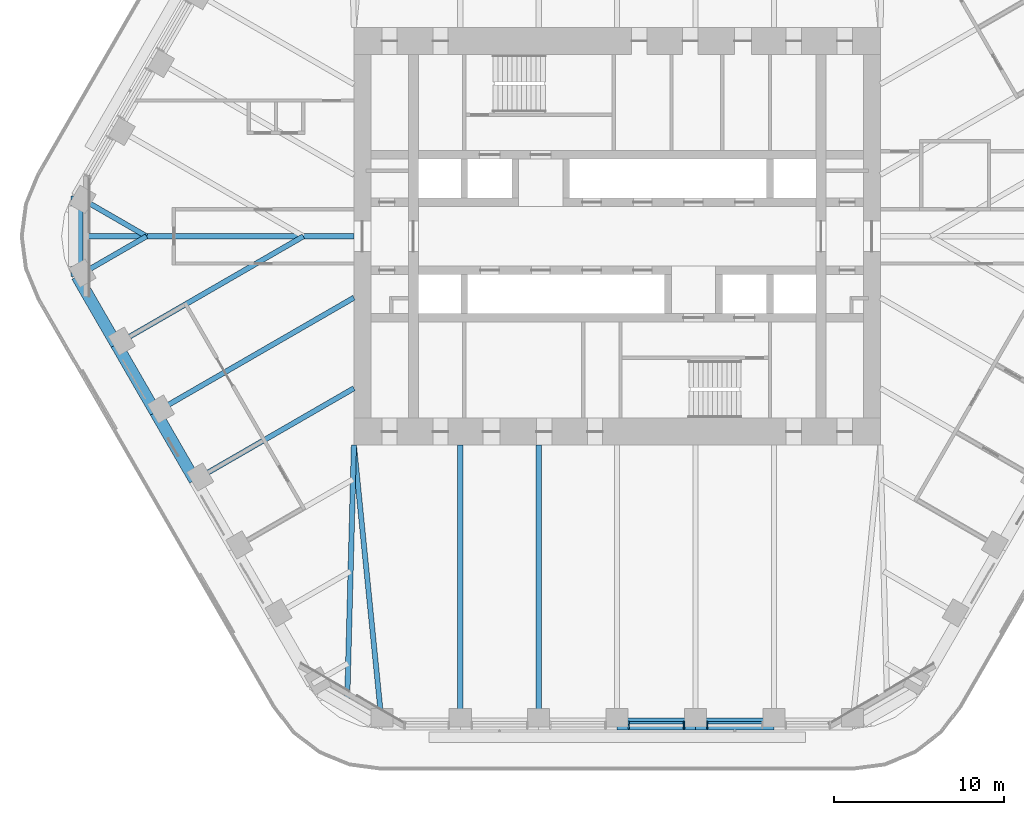
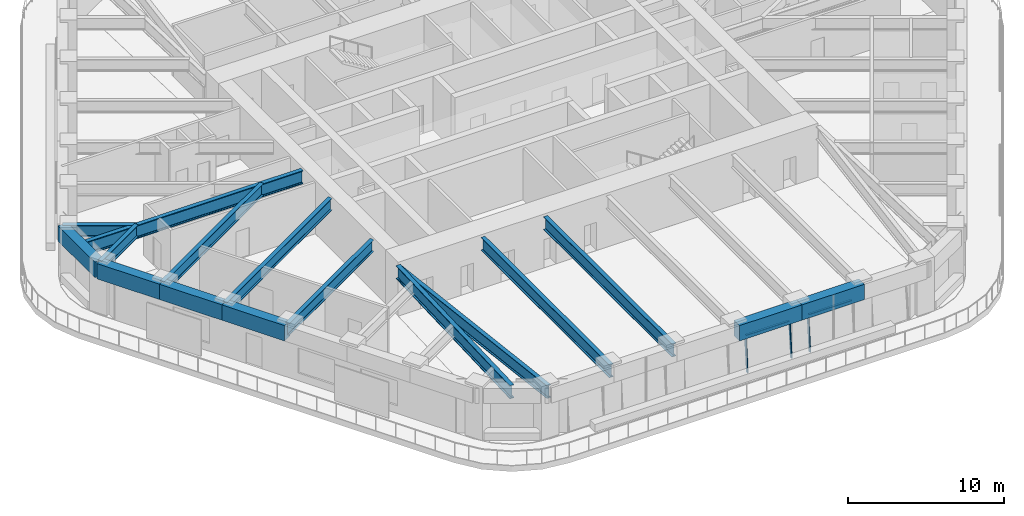
# One storey, part 3 of 20: 16 beams, 5 members, 2 elements without a shape of their own.
"""IFC4 building model written with IfcOpenShell, lengths in metres."""

from ifc_helpers import new_model, si_unit, direction, frame, origin, origin_2d, place, context, subcontext, project, spatial, rectangle, i_section, extrude, material, material_profile, profile_set, type_object, element, aggregate, save


model = new_model("IFC4")

# Units and contexts
model_context = context("Model", 3, precision=1e-05, world=origin(), true_north=direction((0.0, 1.0)))
body_context = subcontext(model_context, "Body", "Model", "MODEL_VIEW")
ifc_project = project(units=[si_unit("LENGTHUNIT", "METRE"), si_unit("AREAUNIT", "SQUARE_METRE"), si_unit("VOLUMEUNIT", "CUBIC_METRE"), si_unit("PLANEANGLEUNIT", "RADIAN"), si_unit("MASSUNIT", "GRAM", prefix="KILO")], contexts=[model_context])

# Site, building, storey
site_placement = place(None, origin())
site = spatial("IfcSite", under=ifc_project, at=site_placement, CompositionType="ELEMENT")
building_placement = place(site_placement, origin())
building = spatial("IfcBuilding", under=site, at=building_placement, Name="Tarfa Lantern Tower", CompositionType="ELEMENT")
storey_placement = place(building_placement, frame((0.0, 0.0, 249.10009765625)))
storey = spatial("IfcBuildingStorey", under=building, at=storey_placement, Name="L56", CompositionType="ELEMENT", Elevation=249.10009765625)

# Curtain wall, members
ifc_material_1 = material(Name="Aluminium framed curtain wall", Category="aluminium")
curtain_wall_type = type_object("IfcCurtainWallType", Name="CW3 CANTED GLAZING HIGH ZONE 2800", PredefinedType="USERDEFINED", material=ifc_material_1)
curtain_wall_1_placement = place(storey_placement, origin())
curtain_wall_1 = element("IfcCurtainWall", 1, at=curtain_wall_1_placement, inside=storey, type_object=curtain_wall_type, Name="CW3 S L56", ObjectType="CURTAIN WALL", PredefinedType="USERDEFINED")
ifc_material_2 = material(Name="Aluminium mullion", Category="aluminium")
ifc_material_profile_1 = material_profile(ifc_material_2, rectangle(XDim=0.06494140625, YDim=0.199951171875, at=origin_2d()), Name="AL MULLION 65x200")
ifc_profile_set_1 = profile_set([ifc_material_profile_1], Name="Aluminium mullion")
member_type_1 = type_object("IfcMemberType", Name="CWM1 MULLION 65x200", PredefinedType="MULLION", material=ifc_profile_set_1)
member_1_placement = place(storey_placement, frame((0.6826171875, -28.89990234375, 0.0), z_axis=(0.0, 0.088938092736, 0.996037155763), x_axis=(-1.0, 0.0, 0.0)))
member_1 = element("IfcMember", 2, at=member_1_placement, type_object=member_type_1, Name="CW3 mullion 1", PredefinedType="MULLION", context=body_context, shape_type="SweptSolid", body=[
    extrude(rectangle(XDim=0.06494140625, YDim=0.199951171875, at=origin_2d()), origin(), (0.0, 0.0, 1.0), 2.81103515625),
])
member_2_placement = place(storey_placement, frame((3.936279296875, -28.89990234375, 0.0), z_axis=(0.0, 0.088938092736, 0.996037155763), x_axis=(-1.0, 0.0, 0.0)))
member_2 = element("IfcMember", 3, at=member_2_placement, type_object=member_type_1, Name="CW3 mullion 2", PredefinedType="MULLION", context=body_context, shape_type="SweptSolid", body=[
    extrude(rectangle(XDim=0.06494140625, YDim=0.199951171875, at=origin_2d()), origin(), (0.0, 0.0, 1.0), 2.81103515625),
])

# Curtain wall, member
curtain_wall_2_placement = place(storey_placement, origin())
curtain_wall_2 = element("IfcCurtainWall", 4, at=curtain_wall_2_placement, inside=storey, type_object=curtain_wall_type, Name="CW3 S L56", ObjectType="CURTAIN WALL", PredefinedType="USERDEFINED")
member_3_placement = place(storey_placement, frame((5.30126953125, -28.89990234375, 0.0), z_axis=(0.0, 0.088938092736, 0.996037155763), x_axis=(-1.0, 0.0, 0.0)))
member_3 = element("IfcMember", 5, at=member_3_placement, type_object=member_type_1, Name="CW3 mullion 1", PredefinedType="MULLION", context=body_context, shape_type="SweptSolid", body=[
    extrude(rectangle(XDim=0.06494140625, YDim=0.199951171875, at=origin_2d()), origin(), (0.0, 0.0, 1.0), 2.81103515625),
])

# Member
ifc_material_3 = material(Name="Aluminium transom", Category="aluminium")
ifc_material_profile_2 = material_profile(ifc_material_3, rectangle(XDim=0.14990234375, YDim=0.06494140625, at=origin_2d()), Name="AL TRANSOM 150x65")
ifc_profile_set_2 = profile_set([ifc_material_profile_2], Name="Aluminium transom")
member_type_2 = type_object("IfcMemberType", Name="CWT1 TRANSOM 150x65", PredefinedType="USERDEFINED", material=ifc_profile_set_2)
member_4_placement = place(storey_placement, frame((0.715087890625, -28.65283203125, 2.767333984375), z_axis=(1.0, 0.0, 0.0), x_axis=(0.0, 1.0, 0.0)))
member_4 = element("IfcMember", 6, at=member_4_placement, type_object=member_type_2, Name="CW3 transom 1.2", ObjectType="TRANSOM", PredefinedType="USERDEFINED", context=body_context, shape_type="SweptSolid", body=[
    extrude(rectangle(XDim=0.14990234375, YDim=0.06494140625, at=origin_2d()), origin(), (0.0, 0.0, 1.0), 3.188720703125),
])

aggregate(curtain_wall_1, [member_1, member_2, member_4])

member_5_placement = place(storey_placement, frame((5.333740234375, -28.65283203125, 2.767333984375), z_axis=(1.0, 0.0, 0.0), x_axis=(0.0, 1.0, 0.0)))
member_5 = element("IfcMember", 7, at=member_5_placement, type_object=member_type_2, Name="CW3 transom 1.2", ObjectType="TRANSOM", PredefinedType="USERDEFINED", context=body_context, shape_type="SweptSolid", body=[
    extrude(rectangle(XDim=0.14990234375, YDim=0.06494140625, at=origin_2d()), origin(), (0.0, 0.0, 1.0), 3.18896484375),
])

aggregate(curtain_wall_2, [member_3, member_5])

# Beams
ifc_material_4 = material(Name="Concrete C80/95", Category="concrete")
ifc_material_profile_3 = material_profile(ifc_material_4, rectangle(XDim=0.699951171875, YDim=1.199951171875, at=origin_2d()), Name="RC 700x1200")
ifc_profile_set_3 = profile_set([ifc_material_profile_3], Name="Concrete C80/95")
beam_type_1 = type_object("IfcBeamType", Name="EB3 RC 700x1200", PredefinedType="SPANDREL", material=ifc_profile_set_3)
beam_1_placement = place(storey_placement, frame((-31.800537109375, 2.360107421875, 3.39990234375), z_axis=(0.0, -1.0, 0.0), x_axis=(1.0, 0.0, 0.0)))
element("IfcBeam", 8, at=beam_1_placement, inside=storey, type_object=beam_type_1, Name="Edge beam NW6", PredefinedType="SPANDREL", context=body_context, shape_type="SweptSolid", body=[
    extrude(rectangle(XDim=0.699951171875, YDim=1.199951171875, at=origin_2d()), origin(), (0.0, 0.0, 1.0), 4.72021484375),
])
beam_2_placement = place(storey_placement, frame((-31.800537109375, -2.360107421875, 3.39990234375), z_axis=(0.500027479704, -0.866009537788, 0.0), x_axis=(0.866009537788, 0.500027479704, 0.0)))
element("IfcBeam", 9, at=beam_2_placement, inside=storey, type_object=beam_type_1, Name="Edge beam SW0", PredefinedType="SPANDREL", context=body_context, shape_type="SweptSolid", body=[
    extrude(rectangle(XDim=0.699951171875, YDim=1.199951171875, at=origin_2d()), origin(), (0.0, 0.0, 1.0), 4.618896484375),
])
for number, where, z_axis, x_axis, name in (
    (10, (-29.490966796875, -6.360107421875, 3.39990234375), (0.499987836815, -0.866032426089, 0.0), (0.866032426089, 0.499987836815, 0.0), "Edge beam SW1"),
    (11, (-27.181640625, -10.360107421875, 3.39990234375), (0.499987836815, -0.866032426089, 0.0), (0.866032426089, 0.499987836815, 0.0), "Edge beam SW2"),
):
    element("IfcBeam", number, at=place(storey_placement, frame(where, z_axis=z_axis, x_axis=x_axis)), inside=storey, type_object=beam_type_1, Name=name, PredefinedType="SPANDREL", context=body_context, shape_type="SweptSolid", body=[
        extrude(rectangle(XDim=0.699951171875, YDim=1.199951171875, at=origin_2d()), origin(), (0.0, 0.0, 1.0), 4.61865234375),
    ])
beam_3_placement = place(storey_placement, frame((0.0, -28.719970703125, 3.39990234375), z_axis=(1.0, 0.0, 0.0), x_axis=(0.0, 1.0, 0.0)))
element("IfcBeam", 12, at=beam_3_placement, inside=storey, type_object=beam_type_1, Name="Edge beam S3", PredefinedType="SPANDREL", context=body_context, shape_type="SweptSolid", body=[
    extrude(rectangle(XDim=0.699951171875, YDim=1.199951171875, at=origin_2d()), origin(), (0.0, 0.0, 1.0), 4.618896484375),
])
beam_4_placement = place(storey_placement, frame((4.618896484375, -28.719970703125, 3.39990234375), z_axis=(1.0, 0.0, 0.0), x_axis=(0.0, 1.0, 0.0)))
element("IfcBeam", 13, at=beam_4_placement, inside=storey, type_object=beam_type_1, Name="Edge beam S4", PredefinedType="SPANDREL", context=body_context, shape_type="SweptSolid", body=[
    extrude(rectangle(XDim=0.699951171875, YDim=1.199951171875, at=origin_2d()), origin(), (0.0, 0.0, 1.0), 4.61865234375),
])
ifc_material_5 = material(Name="Steel S460M", Category="steel")
ifc_material_profile_4 = material_profile(ifc_material_5, i_section(OverallWidth=0.302001953125, OverallDepth=1.008056640625, WebThickness=0.02099609375, FlangeThickness=0.0400390625, FilletRadius=0.030029296875, at=origin_2d()), Name="UB1016x305x349")
ifc_profile_set_4 = profile_set([ifc_material_profile_4], Name="Steel S460M")
beam_type_2 = type_object("IfcBeamType", Name="UB1016x305x349", PredefinedType="BEAM", material=ifc_profile_set_4)
beam_5_placement = place(storey_placement, frame((-13.8564453125, -28.719970703125, 3.495849609375), z_axis=(-0.099597466746, 0.995027810977, 0.0), x_axis=(-0.995027810977, -0.099597466746, 0.0)))
element("IfcBeam", 14, at=beam_5_placement, inside=storey, type_object=beam_type_2, Name="Floor beam S0", PredefinedType="BEAM", context=body_context, shape_type="SweptSolid", body=[
    extrude(i_section(OverallWidth=0.302001953125, OverallDepth=1.008056640625, WebThickness=0.02099609375, FlangeThickness=0.0400390625, FilletRadius=0.030029296875, at=origin_2d()), origin(), (0.0, 0.0, 1.0), 16.501953125),
])
for number, where, z_axis, x_axis, name in (
    (15, (-9.237548828125, -28.719970703125, 3.495849609375), (0.0, 1.0, 0.0), (-1.0, 0.0, 0.0), "Floor beam S1"),
    (16, (-4.618896484375, -28.719970703125, 3.495849609375), (0.0, 1.0, 0.0), (-1.0, 0.0, 0.0), "Floor beam S2"),
):
    element("IfcBeam", number, at=place(storey_placement, frame(where, z_axis=z_axis, x_axis=x_axis)), inside=storey, type_object=beam_type_2, Name=name, PredefinedType="BEAM", context=body_context, shape_type="SweptSolid", body=[
        extrude(i_section(OverallWidth=0.302001953125, OverallDepth=1.008056640625, WebThickness=0.02099609375, FlangeThickness=0.0400390625, FilletRadius=0.030029296875, at=origin_2d()), origin(), (0.0, 0.0, 1.0), 16.419921875),
    ])
ifc_material_profile_5 = material_profile(ifc_material_5, i_section(OverallWidth=0.30859375, OverallDepth=1.036376953125, WebThickness=0.030029296875, FlangeThickness=0.05419921875, FilletRadius=0.030029296875, at=origin_2d()), Name="UB1016x305x487")
ifc_profile_set_5 = profile_set([ifc_material_profile_5], Name="Steel S460M")
beam_type_3 = type_object("IfcBeamType", Name="UB1016x305x487", PredefinedType="BEAM", material=ifc_profile_set_5)
beam_6_placement = place(storey_placement, frame((-15.5, 0.0, 3.481689453125), z_axis=(-1.0, 0.0, 0.0), x_axis=(0.0, -1.0, 0.0)))
element("IfcBeam", 17, at=beam_6_placement, inside=storey, type_object=beam_type_3, Name="Hip girder W", PredefinedType="BEAM", context=body_context, shape_type="SweptSolid", body=[
    extrude(i_section(OverallWidth=0.30859375, OverallDepth=1.036376953125, WebThickness=0.030029296875, FlangeThickness=0.05419921875, FilletRadius=0.030029296875, at=origin_2d()), origin(), (0.0, 0.0, 1.0), 16.300537109375),
])
beam_7_placement = place(storey_placement, frame((-15.5, -12.300048828125, 3.481689453125), z_axis=(-0.026247301989, -0.999655480222, 0.0), x_axis=(0.999655480222, -0.026247301989, 0.0)))
element("IfcBeam", 18, at=beam_7_placement, inside=storey, type_object=beam_type_3, Name="Hip girder SW", PredefinedType="BEAM", context=body_context, shape_type="SweptSolid", body=[
    extrude(i_section(OverallWidth=0.30859375, OverallDepth=1.036376953125, WebThickness=0.030029296875, FlangeThickness=0.05419921875, FilletRadius=0.030029296875, at=origin_2d()), origin(), (0.0, 0.0, 1.0), 15.245361328125),
])
ifc_material_profile_6 = material_profile(ifc_material_5, i_section(OverallWidth=0.305419921875, OverallDepth=0.91845703125, WebThickness=0.017333984375, FlangeThickness=0.02783203125, FilletRadius=0.01904296875, at=origin_2d()), Name="UB914x305x253")
ifc_profile_set_6 = profile_set([ifc_material_profile_6], Name="Steel S460M")
beam_type_4 = type_object("IfcBeamType", Name="UB914x305x253", PredefinedType="BEAM", material=ifc_profile_set_6)
for number, where, z_axis, x_axis, name in (
    (19, (-31.800537109375, 2.360107421875, 3.540771484375), (0.866015897305, -0.500016465344, 0.0), (0.500016465344, 0.866015897305, 0.0), "Floor beam NW6"),
    (20, (-31.800537109375, -2.360107421875, 3.540771484375), (0.866015897305, 0.500016465344, 0.0), (-0.500016465344, 0.866015897305, 0.0), "Floor beam SW0"),
):
    element("IfcBeam", number, at=place(storey_placement, frame(where, z_axis=z_axis, x_axis=x_axis)), inside=storey, type_object=beam_type_4, Name=name, PredefinedType="BEAM", context=body_context, shape_type="SweptSolid", body=[
        extrude(i_section(OverallWidth=0.305419921875, OverallDepth=0.91845703125, WebThickness=0.017333984375, FlangeThickness=0.02783203125, FilletRadius=0.01904296875, at=origin_2d()), origin(), (0.0, 0.0, 1.0), 4.719970703125),
    ])
beam_8_placement = place(storey_placement, frame((-29.490966796875, -6.360107421875, 3.540771484375), z_axis=(0.866022258038, 0.500005448553, 0.0), x_axis=(-0.500005448553, 0.866022258038, 0.0)))
element("IfcBeam", 21, at=beam_8_placement, inside=storey, type_object=beam_type_4, Name="Floor beam SW1", PredefinedType="BEAM", context=body_context, shape_type="SweptSolid", body=[
    extrude(i_section(OverallWidth=0.305419921875, OverallDepth=0.91845703125, WebThickness=0.017333984375, FlangeThickness=0.02783203125, FilletRadius=0.01904296875, at=origin_2d()), origin(), (0.0, 0.0, 1.0), 12.719970703125),
])
beam_9_placement = place(storey_placement, frame((-27.181640625, -10.360107421875, 3.540771484375), z_axis=(0.866018002818, 0.500012818631, 0.0), x_axis=(-0.500012818631, 0.866018002818, 0.0)))
element("IfcBeam", 22, at=beam_9_placement, inside=storey, type_object=beam_type_4, Name="Floor beam SW2", PredefinedType="BEAM", context=body_context, shape_type="SweptSolid", body=[
    extrude(i_section(OverallWidth=0.305419921875, OverallDepth=0.91845703125, WebThickness=0.017333984375, FlangeThickness=0.02783203125, FilletRadius=0.01904296875, at=origin_2d()), origin(), (0.0, 0.0, 1.0), 13.489013671875),
])
beam_10_placement = place(storey_placement, frame((-24.872314453125, -14.360107421875, 3.540771484375), z_axis=(0.8660244219, 0.500001700669, 0.0), x_axis=(-0.500001700669, 0.8660244219, 0.0)))
element("IfcBeam", 23, at=beam_10_placement, inside=storey, type_object=beam_type_4, Name="Floor beam SW3", PredefinedType="BEAM", context=body_context, shape_type="SweptSolid", body=[
    extrude(i_section(OverallWidth=0.305419921875, OverallDepth=0.91845703125, WebThickness=0.017333984375, FlangeThickness=0.02783203125, FilletRadius=0.01904296875, at=origin_2d()), origin(), (0.0, 0.0, 1.0), 10.822265625),
])

save(model, "model.ifc")
